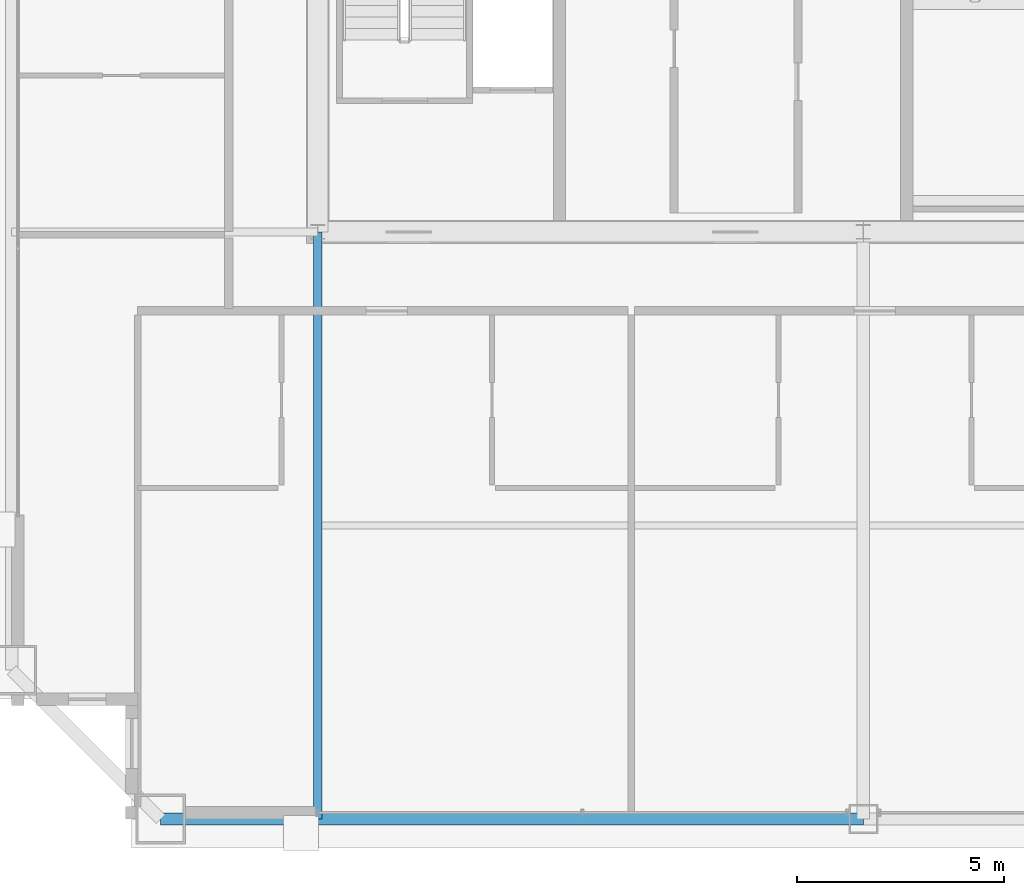
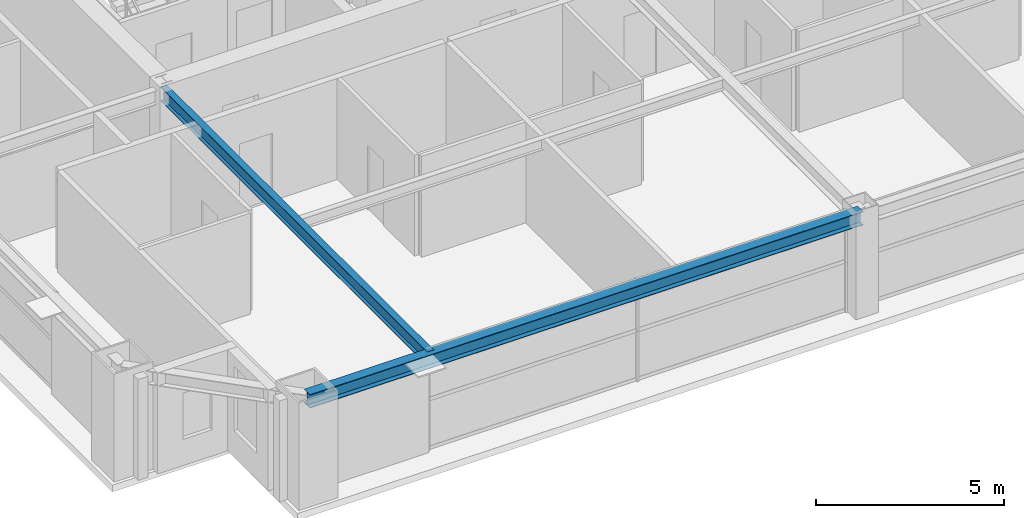
# One storey, part 5 of 37: 2 beams.
"""IFC4 building model written with IfcOpenShell, lengths in metres."""

from ifc_helpers import new_model, si_unit, direction, frame, origin, origin_2d, place, context, subcontext, project, spatial, i_section, extrude, source, transform, mapped, material, material_profile, profile_set, type_object, element, save


model = new_model("IFC4")

# Units and contexts
model_context = context("Model", 3, precision=1e-05, world=origin(), true_north=direction((0.0, 1.0)))
body_context = subcontext(model_context, "Body", "Model", "MODEL_VIEW")
ifc_project = project(units=[si_unit("LENGTHUNIT", "METRE"), si_unit("AREAUNIT", "SQUARE_METRE"), si_unit("VOLUMEUNIT", "CUBIC_METRE"), si_unit("PLANEANGLEUNIT", "RADIAN"), si_unit("MASSUNIT", "GRAM", prefix="KILO"), si_unit("THERMODYNAMICTEMPERATUREUNIT", "KELVIN"), si_unit("POWERUNIT", "WATT")], contexts=[model_context])

# Site, building, storey
site_placement = place(None, origin())
site = spatial("IfcSite", under=ifc_project, at=site_placement, CompositionType="ELEMENT")
building_placement = place(site_placement, origin())
building = spatial("IfcBuilding", under=site, at=building_placement, Name="Yuzanri Waterfront Tower", CompositionType="ELEMENT")
storey_placement = place(building_placement, frame((0.0, 0.0, 268.10009765625)))
storey = spatial("IfcBuildingStorey", under=building, at=storey_placement, Name="L71", CompositionType="ELEMENT", Elevation=268.10009765625)

# Beams
ifc_material_1 = material(Name="Steel Q355B", Category="steel")
ifc_material_profile_1 = material_profile(ifc_material_1, i_section(OverallWidth=0.300048828125, OverallDepth=0.43994140625, WebThickness=0.010986328125, FlangeThickness=0.01806640625, at=origin_2d()), Name="HM 440x300x11x18")
ifc_profile_set_1 = profile_set([ifc_material_profile_1], Name="Steel Q355B")
beam_type_1 = type_object("IfcBeamType", Name="Perimeter Spandrel Q355B HM 440x300", PredefinedType="SPANDREL", material=ifc_profile_set_1)
shared_shape_1 = source(origin(), body_context, "Body", "SweptSolid", [
    extrude(i_section(OverallWidth=0.300048828125, OverallDepth=0.43994140625, WebThickness=0.010986328125, FlangeThickness=0.01806640625, at=origin_2d()), origin(), (0.0, 0.0, 1.0), 17.0),
])
beam_1_placement = place(storey_placement, frame((20.0, 5.199951171875, 3.059814453125), z_axis=(1.0, 0.0, 0.0), x_axis=(0.0, 1.0, 0.0)))
element("IfcBeam", 1, at=beam_1_placement, inside=storey, type_object=beam_type_1, Name="L71 Perimeter Spandrel S1-S2", PredefinedType="SPANDREL", context=body_context, shape_type="MappedRepresentation", body=[
    mapped(shared_shape_1, transform((0.0, 0.0, 0.0), scale=1.0)),
])
ifc_material_2 = material(Name="Steel Q355B", Category="steel")
ifc_material_profile_2 = material_profile(ifc_material_2, i_section(OverallWidth=0.199951171875, OverallDepth=0.449951171875, WebThickness=0.009033203125, FlangeThickness=0.013916015625, at=origin_2d()), Name="HN 450x200x9x14")
ifc_profile_set_2 = profile_set([ifc_material_profile_2], Name="Steel Q355B")
beam_type_2 = type_object("IfcBeamType", Name="Secondary Floor Beam Q355B HN 450x200", PredefinedType="BEAM", material=ifc_profile_set_2)
shared_shape_2 = source(origin(), body_context, "Body", "SweptSolid", [
    extrude(i_section(OverallWidth=0.199951171875, OverallDepth=0.449951171875, WebThickness=0.009033203125, FlangeThickness=0.013916015625, at=origin_2d()), origin(), (0.0, 0.0, 1.0), 14.199951171875),
])
beam_2_placement = place(storey_placement, frame((23.800048828125, 19.39990234375, 3.054931640625), z_axis=(0.0, -1.0, 0.0), x_axis=(1.0, 0.0, 0.0)))
element("IfcBeam", 2, at=beam_2_placement, inside=storey, type_object=beam_type_2, Name="L71 South-West Core Line Beam", PredefinedType="BEAM", context=body_context, shape_type="MappedRepresentation", body=[
    mapped(shared_shape_2, transform((0.0, 0.0, 0.0), scale=1.0)),
])

save(model, "model.ifc")
